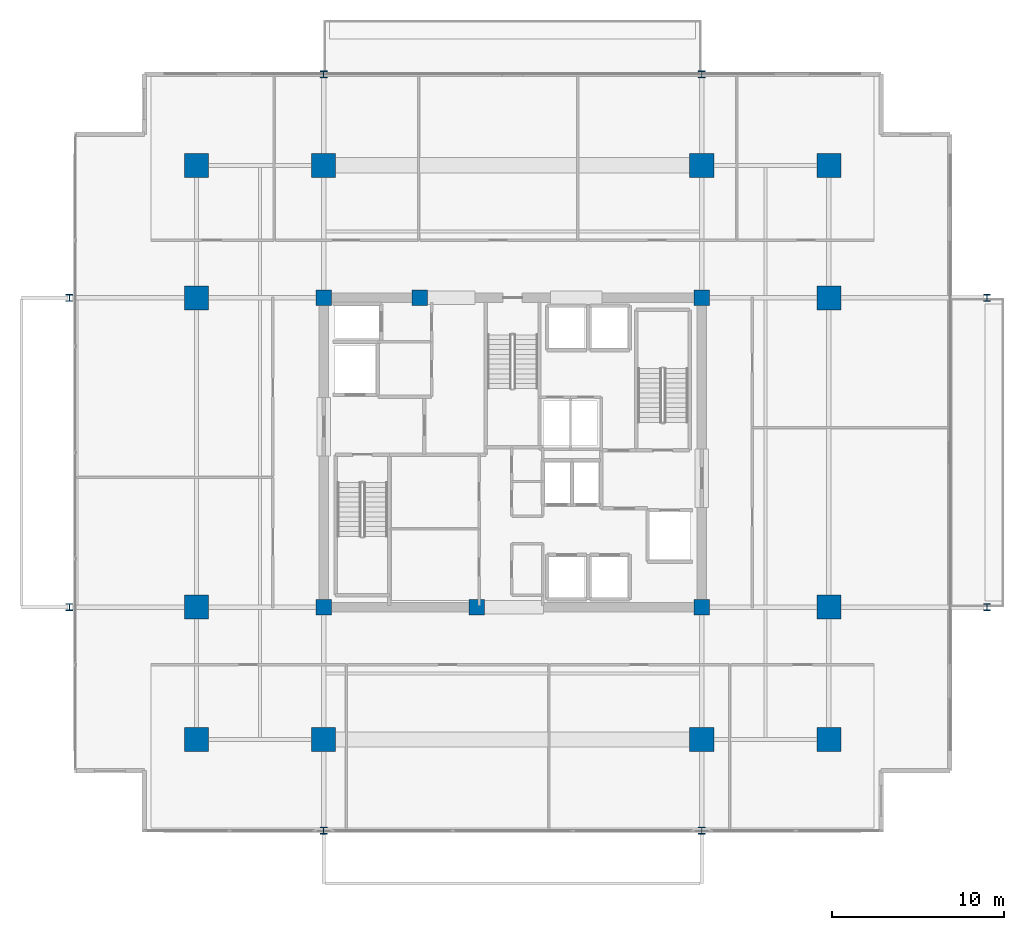
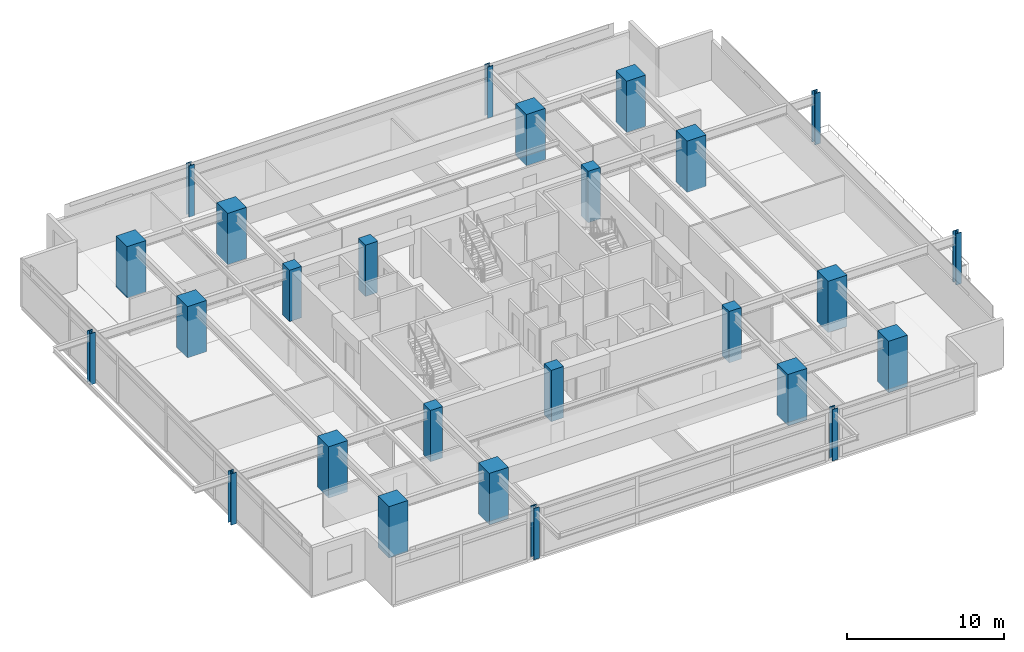
# One storey, part 1 of 21: 26 columns.
"""IFC4 building model written with IfcOpenShell, lengths in metres."""

from ifc_helpers import new_model, si_unit, direction, frame, origin, origin_2d, place, context, subcontext, project, spatial, rectangle, i_section, extrude, material, material_profile, profile_set, type_object, element, save


model = new_model("IFC4")

# Units and contexts
model_context = context("Model", 3, precision=1e-05, world=origin(), true_north=direction((0.0, 1.0)))
body_context = subcontext(model_context, "Body", "Model", "MODEL_VIEW")
ifc_project = project(units=[si_unit("LENGTHUNIT", "METRE"), si_unit("AREAUNIT", "SQUARE_METRE"), si_unit("VOLUMEUNIT", "CUBIC_METRE"), si_unit("PLANEANGLEUNIT", "RADIAN"), si_unit("MASSUNIT", "GRAM", prefix="KILO")], contexts=[model_context])

# Site, building, storey
site_placement = place(None, origin())
site = spatial("IfcSite", under=ifc_project, at=site_placement, CompositionType="ELEMENT")
building_placement = place(site_placement, origin())
building = spatial("IfcBuilding", under=site, at=building_placement, Name="Kovane Verandah Tower", CompositionType="ELEMENT")
storey_placement = place(building_placement, frame((0.0, 0.0, 217.199951171875)))
storey = spatial("IfcBuildingStorey", under=building, at=storey_placement, Name="L50", CompositionType="ELEMENT", Elevation=217.199951171875)

# Columns
ifc_material_1 = material(Name="Concrete C60/75", Category="concrete")
ifc_material_profile_1 = material_profile(ifc_material_1, rectangle(XDim=1.39990234375, YDim=1.39990234375, at=origin_2d()), Name="RC1400x1400")
ifc_profile_set_1 = profile_set([ifc_material_profile_1], Name="Concrete C60/75")
column_type_1 = type_object("IfcColumnType", Name="COL-RC1400", PredefinedType="COLUMN", material=ifc_profile_set_1)
for number, where, z_axis, x_axis, name in (
    (1, (29.0, 10.800048828125, 0.0), (0.0, 0.0, 1.0), (1.0, 0.0, 0.0), "L50 Tower Mega-Column MC-S1"),
    (2, (51.0, 10.800048828125, 0.0), (0.0, 0.0, 1.0), (1.0, 0.0, 0.0), "L50 Tower Mega-Column MC-S2"),
    (3, (29.0, 44.199951171875, 0.0), (0.0, 0.0, 1.0), (1.0, 0.0, 0.0), "L50 Tower Mega-Column MC-N1"),
    (4, (51.0, 44.199951171875, 0.0), (0.0, 0.0, 1.0), (1.0, 0.0, 0.0), "L50 Tower Mega-Column MC-N2"),
    (5, (21.60009765625, 18.5, 0.0), (0.0, 0.0, 1.0), (1.0, 0.0, 0.0), "L50 Tower Mega-Column MC-W1"),
    (6, (21.60009765625, 36.5, 0.0), (0.0, 0.0, 1.0), (1.0, 0.0, 0.0), "L50 Tower Mega-Column MC-W2"),
    (7, (58.39990234375, 18.5, 0.0), (0.0, 0.0, 1.0), (1.0, 0.0, 0.0), "L50 Tower Mega-Column MC-E1"),
    (8, (58.39990234375, 36.5, 0.0), (0.0, 0.0, 1.0), (1.0, 0.0, 0.0), "L50 Tower Mega-Column MC-E2"),
    (9, (21.60009765625, 10.800048828125, 0.0), (0.0, 0.0, 1.0), (1.0, 0.0, 0.0), "L50 Tower Mega-Column MC-SW"),
    (10, (58.39990234375, 10.800048828125, 0.0), (0.0, 0.0, 1.0), (1.0, 0.0, 0.0), "L50 Tower Mega-Column MC-SE"),
    (11, (21.60009765625, 44.199951171875, 0.0), (0.0, 0.0, 1.0), (1.0, 0.0, 0.0), "L50 Tower Mega-Column MC-NW"),
    (12, (58.39990234375, 44.199951171875, 0.0), (0.0, 0.0, 1.0), (1.0, 0.0, 0.0), "L50 Tower Mega-Column MC-NE"),
):
    element("IfcColumn", number, at=place(storey_placement, frame(where, z_axis=z_axis, x_axis=x_axis)), inside=storey, type_object=column_type_1, Name=name, PredefinedType="COLUMN", context=body_context, shape_type="SweptSolid", body=[
        extrude(rectangle(XDim=1.39990234375, YDim=1.39990234375, at=origin_2d()), origin(), (0.0, 0.0, 1.0), 4.0),
    ])
ifc_material_2 = material(Name="Steel S460", Category="steel")
ifc_material_profile_2 = material_profile(ifc_material_2, i_section(OverallWidth=0.403076171875, OverallDepth=0.406494140625, WebThickness=0.026611328125, FlangeThickness=0.04296875, FilletRadius=0.01513671875, at=origin_2d()), Name="UC356x406x340")
ifc_profile_set_2 = profile_set([ifc_material_profile_2], Name="Steel S460")
column_type_2 = type_object("IfcColumnType", Name="COL-UC340", PredefinedType="COLUMN", material=ifc_profile_set_2)
for number, where, z_axis, x_axis, name in (
    (13, (14.199951171875, 18.5, 0.0), (0.0, 0.0, 1.0), (1.0, 0.0, 0.0), "L50 Verandah Perimeter Column VC-W1"),
    (14, (14.199951171875, 36.5, 0.0), (0.0, 0.0, 1.0), (1.0, 0.0, 0.0), "L50 Verandah Perimeter Column VC-W2"),
    (15, (67.60009765625, 18.5, 0.0), (0.0, 0.0, 1.0), (1.0, 0.0, 0.0), "L50 Verandah Perimeter Column VC-E1"),
    (16, (67.60009765625, 36.5, 0.0), (0.0, 0.0, 1.0), (1.0, 0.0, 0.0), "L50 Verandah Perimeter Column VC-E2"),
    (17, (29.0, 5.5, 0.0), (0.0, 0.0, 1.0), (1.0, 0.0, 0.0), "L50 Verandah Perimeter Column VC-S1"),
    (18, (51.0, 5.5, 0.0), (0.0, 0.0, 1.0), (1.0, 0.0, 0.0), "L50 Verandah Perimeter Column VC-S2"),
    (19, (29.0, 49.5, 0.0), (0.0, 0.0, 1.0), (1.0, 0.0, 0.0), "L50 Verandah Perimeter Column VC-N1"),
    (20, (51.0, 49.5, 0.0), (0.0, 0.0, 1.0), (1.0, 0.0, 0.0), "L50 Verandah Perimeter Column VC-N2"),
):
    element("IfcColumn", number, at=place(storey_placement, frame(where, z_axis=z_axis, x_axis=x_axis)), inside=storey, type_object=column_type_2, Name=name, PredefinedType="COLUMN", context=body_context, shape_type="SweptSolid", body=[
        extrude(i_section(OverallWidth=0.403076171875, OverallDepth=0.406494140625, WebThickness=0.026611328125, FlangeThickness=0.04296875, FilletRadius=0.01513671875, at=origin_2d()), origin(), (0.0, 0.0, 1.0), 4.0),
    ])
ifc_material_profile_3 = material_profile(ifc_material_1, rectangle(XDim=0.89990234375, YDim=0.89990234375, at=origin_2d()), Name="RC900x900")
ifc_profile_set_3 = profile_set([ifc_material_profile_3], Name="Concrete C60/75")
column_type_3 = type_object("IfcColumnType", Name="PIL-RC900", PredefinedType="PILASTER", material=ifc_profile_set_3)
for number, where, z_axis, x_axis, name in (
    (21, (29.0, 18.5, 0.0), (0.0, 0.0, 1.0), (1.0, 0.0, 0.0), "L50 Core Pilaster CP-SW"),
    (22, (51.0, 18.5, 0.0), (0.0, 0.0, 1.0), (1.0, 0.0, 0.0), "L50 Core Pilaster CP-SE"),
    (23, (29.0, 36.5, 0.0), (0.0, 0.0, 1.0), (1.0, 0.0, 0.0), "L50 Core Pilaster CP-NW"),
    (24, (51.0, 36.5, 0.0), (0.0, 0.0, 1.0), (1.0, 0.0, 0.0), "L50 Core Pilaster CP-NE"),
    (25, (37.89990234375, 18.5, 0.0), (0.0, 0.0, 1.0), (1.0, 0.0, 0.0), "L50 Core Pilaster CP-S"),
    (26, (34.60009765625, 36.5, 0.0), (0.0, 0.0, 1.0), (1.0, 0.0, 0.0), "L50 Core Pilaster CP-N"),
):
    element("IfcColumn", number, at=place(storey_placement, frame(where, z_axis=z_axis, x_axis=x_axis)), inside=storey, type_object=column_type_3, Name=name, PredefinedType="PILASTER", context=body_context, shape_type="SweptSolid", body=[
        extrude(rectangle(XDim=0.89990234375, YDim=0.89990234375, at=origin_2d()), origin(), (0.0, 0.0, 1.0), 4.0),
    ])

save(model, "model.ifc")
